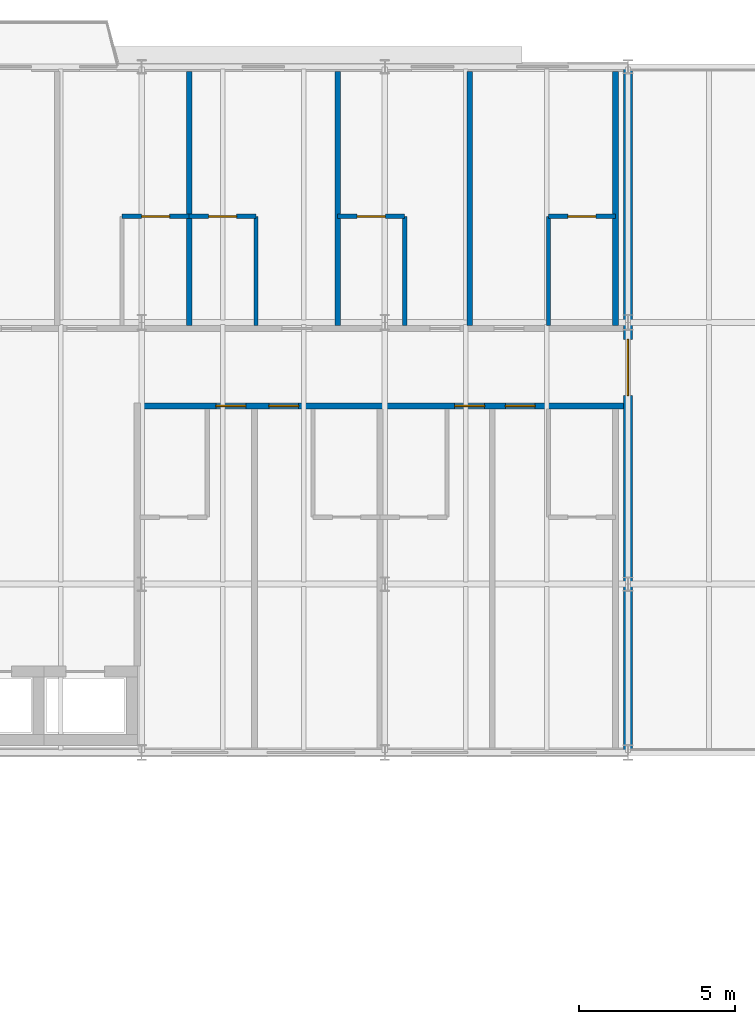
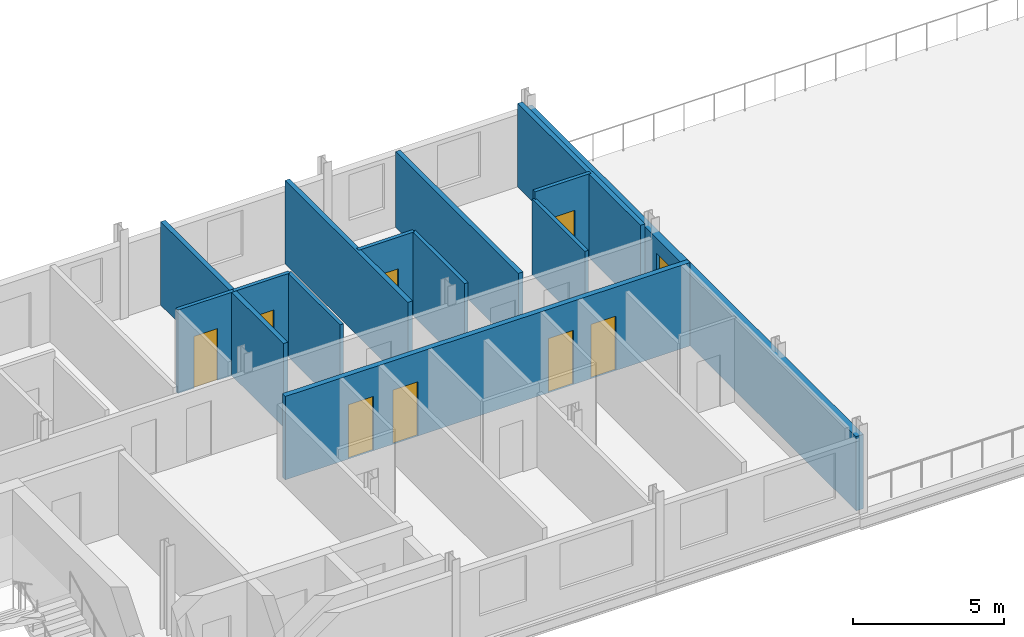
# One storey, part 25 of 30: 13 walls, 9 doors, 9 openings.
"""IFC4 building model written with IfcOpenShell, lengths in metres."""

import ifcopenshell
import ifcopenshell.guid

model = None  # the IFC model being written
_history = None  # IfcOwnerHistory: only IFC2X3 demands one
_inside = {}  # id of a spatial element -> (the spatial element, [elements in it])
_under = {}  # id of a project, library or spatial element -> (it, [spatial elements below it])
_declared = {}  # id of a project -> (the project, [libraries it declares])
_typed = {}  # id of a type object -> (the type object, [elements of that type])
_made_of = {}  # id of a material, layer set ... -> (it, [elements and type objects made of it])


def new_model(schema):
    """Start an empty IFC model of exactly this schema.

    Asked for "IFC4X3", IfcOpenShell would pick the latest addendum, in which some entities
    have other attributes; the version numbers below select the first issue.
    IFC2X3 requires an IfcOwnerHistory on every rooted entity: one is made here for all.
    """
    global model, _history
    if schema == "IFC4X3":
        model = ifcopenshell.file(schema_version=(4, 3, 0, 0))
    else:
        model = ifcopenshell.file(schema=schema)
    _inside.clear()
    _under.clear()
    _declared.clear()
    _typed.clear()
    _made_of.clear()
    _history = None
    if model.schema == "IFC2X3":
        org = make("IfcOrganization", Name="unknown")
        user = make(
            "IfcPersonAndOrganization",
            ThePerson=make("IfcPerson", FamilyName="unknown"),
            TheOrganization=org,
        )
        app = make(
            "IfcApplication",
            ApplicationDeveloper=org,
            Version="unknown",
            ApplicationFullName="unknown",
            ApplicationIdentifier="unknown",
        )
        _history = make(
            "IfcOwnerHistory",
            OwningUser=user,
            OwningApplication=app,
            ChangeAction="ADDED",
            CreationDate=0,
        )
    return model


def make(cls, **values):
    """One entity of the class cls with the attributes given. An attribute that is None is left unset."""
    return model.create_entity(
        cls, **{name: value for name, value in values.items() if value is not None}
    )


def rooted(cls, **values):
    """An entity with a GlobalId (a new one), such as an element, a storey or a relation."""
    return make(cls, GlobalId=ifcopenshell.guid.new(), OwnerHistory=_history, **values)


def si_unit(unit_type, name, prefix=None):
    """IfcSIUnit, for example si_unit("LENGTHUNIT", "METRE", prefix="MILLI")."""
    return make("IfcSIUnit", UnitType=unit_type, Prefix=prefix, Name=name)


def assignment(units):
    """IfcUnitAssignment: the units of a project."""
    return None if units is None else make("IfcUnitAssignment", Units=units)


def point(xyz):
    """IfcCartesianPoint."""
    return None if xyz is None else make("IfcCartesianPoint", Coordinates=xyz)


def direction(xyz):
    """IfcDirection."""
    return None if xyz is None else make("IfcDirection", DirectionRatios=xyz)


def frame(location, z_axis=None, x_axis=None):
    """IfcAxis2Placement3D, a coordinate frame: its origin and axes. An axis left out is left unset."""
    return make(
        "IfcAxis2Placement3D",
        Location=point(location),
        Axis=direction(z_axis),
        RefDirection=direction(x_axis),
    )


def frame_2d(location, x_axis=None):
    """IfcAxis2Placement2D, a coordinate frame in the plane: its origin and x axis."""
    return make(
        "IfcAxis2Placement2D", Location=point(location), RefDirection=direction(x_axis)
    )


def origin():
    """The frame at (0, 0, 0) with its axes left unset."""
    return frame((0.0, 0.0, 0.0))


def place(relative_to, where):
    """IfcLocalPlacement: puts the frame where relative to a parent placement (None: the world)."""
    return make(
        "IfcLocalPlacement", PlacementRelTo=relative_to, RelativePlacement=where
    )


def context(
    kind, dimensions, precision=None, world=None, true_north=None, identifier=None
):
    """IfcGeometricRepresentationContext, for example the 3D "Model" context."""
    return make(
        "IfcGeometricRepresentationContext",
        ContextIdentifier=identifier,
        ContextType=kind,
        CoordinateSpaceDimension=dimensions,
        Precision=precision,
        WorldCoordinateSystem=world,
        TrueNorth=true_north,
    )


def subcontext(parent, identifier, kind, view, scale=None):
    """IfcGeometricRepresentationSubContext, for example "Body" below "Model"."""
    return make(
        "IfcGeometricRepresentationSubContext",
        ContextIdentifier=identifier,
        ContextType=kind,
        ParentContext=parent,
        TargetScale=scale,
        TargetView=view,
    )


def project(units=None, contexts=None):
    """IfcProject with its units and contexts."""
    return rooted(
        "IfcProject",
        Name="project",
        RepresentationContexts=contexts,
        UnitsInContext=assignment(units),
    )


def spatial(cls, under=None, at=None, **own):
    """A site, building, storey or space (cls), placed at a placement, below another one or the project."""
    s = rooted(cls, ObjectPlacement=at, **own)
    if under is not None:
        _under.setdefault(under.id(), (under, []))[1].append(s)
    return s


def profile(cls, at=None, kind="AREA", **sizes):
    """A parametric profile (cls). Its sizes go by their IFC names, for example OverallWidth=200.0."""
    return make(cls, ProfileType=kind, Position=at, **sizes)


def rectangle(**sizes):
    """IfcRectangleProfileDef."""
    return profile("IfcRectangleProfileDef", **sizes)


def extrude(swept, where, along, depth):
    """IfcExtrudedAreaSolid: the profile swept, set in the frame where, extruded along a direction by depth."""
    return make(
        "IfcExtrudedAreaSolid",
        SweptArea=swept,
        Position=where,
        ExtrudedDirection=direction(along),
        Depth=depth,
    )


def shape(context_of_items, identifier, shape_type, items):
    """IfcShapeRepresentation: the items that make up one representation, for example the "Body"."""
    return make(
        "IfcShapeRepresentation",
        ContextOfItems=context_of_items,
        RepresentationIdentifier=identifier,
        RepresentationType=shape_type,
        Items=items,
    )


def material(Name=None, Category=None):
    """IfcMaterial."""
    return make("IfcMaterial", Name=Name, Category=Category)


def layer(
    of_material, thickness, ventilated=None, Name=None, Category=None, Priority=None
):
    """IfcMaterialLayer: one layer of a wall or slab, of a material (None: an air gap)."""
    return make(
        "IfcMaterialLayer",
        Material=of_material,
        LayerThickness=thickness,
        IsVentilated=ventilated,
        Name=Name,
        Category=Category,
        Priority=Priority,
    )


def layer_set(layers, Name=None):
    """IfcMaterialLayerSet."""
    return make("IfcMaterialLayerSet", MaterialLayers=layers, LayerSetName=Name)


def made_of(thing, what):
    """Note that an element or type object is made of a material, layer set ...; save() writes the relation."""
    if what is not None:
        _made_of.setdefault(what.id(), (what, []))[1].append(thing)
    return thing


def type_object(cls, material=None, **own):
    """A type object (cls), such as IfcWallType, which elements share."""
    return made_of(rooted(cls, **own), material)


def element(
    cls,
    number,
    at=None,
    inside=None,
    cuts=None,
    type_object=None,
    material=None,
    context=None,
    identifier="Body",
    shape_type=None,
    held_by="IfcProductDefinitionShape",
    body=None,
    shapes=None,
    **own,
):
    """One element of the class cls, such as IfcWall. Its Tag is "e" and its number.

    at: its placement. inside: the storey or other place that contains it. cuts: it is an
    opening in that element (IfcRelVoidsElement). A single representation is given by context,
    identifier, shape_type and body (its items); several are given by shapes. held_by: the class
    of the entity that holds the representations. save() writes the other relations.
    """
    e = rooted(cls, Tag="e%d" % number, ObjectPlacement=at, **own)
    if body is not None:
        shapes = [shape(context, identifier, shape_type, body)]
    if shapes is not None:
        e.Representation = make(held_by, Representations=shapes)
    if inside is not None:
        _inside.setdefault(inside.id(), (inside, []))[1].append(e)
    if cuts is not None:
        rooted(
            "IfcRelVoidsElement", RelatingBuildingElement=cuts, RelatedOpeningElement=e
        )
    if type_object is not None:
        _typed.setdefault(type_object.id(), (type_object, []))[1].append(e)
    return made_of(e, material)


def fill(opening, filler):
    """IfcRelFillsElement: the door or window that sits in an opening."""
    return rooted(
        "IfcRelFillsElement",
        RelatingOpeningElement=opening,
        RelatedBuildingElement=filler,
    )


def aggregate(whole, parts):
    """IfcRelAggregates: a whole, such as a stair, and the parts it consists of."""
    return rooted("IfcRelAggregates", RelatingObject=whole, RelatedObjects=parts)


def save(model, path):
    """Write the relations noted so far, then the file.

    IfcRelAggregates (storeys below a building ...), IfcRelContainedInSpatialStructure (elements
    in a storey), IfcRelDefinesByType, IfcRelAssociatesMaterial and IfcRelDeclares: one each for
    every whole, place, type object, material and project.
    """
    for whole, parts in _under.values():
        aggregate(whole, parts)
    for where, things in _inside.values():
        rooted(
            "IfcRelContainedInSpatialStructure",
            RelatedElements=things,
            RelatingStructure=where,
        )
    for kind, things in _typed.values():
        rooted("IfcRelDefinesByType", RelatedObjects=things, RelatingType=kind)
    for what, things in _made_of.values():
        rooted("IfcRelAssociatesMaterial", RelatedObjects=things, RelatingMaterial=what)
    for by, libraries in _declared.values():
        rooted("IfcRelDeclares", RelatingContext=by, RelatedDefinitions=libraries)
    model.write(path)


model = new_model("IFC4")

# Units and contexts
model_context = context("Model", 3, precision=1e-05, world=origin(), true_north=direction((0.0, 1.0)))
body_context = subcontext(model_context, "Body", "Model", "MODEL_VIEW")
ifc_project = project(units=[si_unit("LENGTHUNIT", "METRE"), si_unit("AREAUNIT", "SQUARE_METRE"), si_unit("VOLUMEUNIT", "CUBIC_METRE"), si_unit("PLANEANGLEUNIT", "RADIAN"), si_unit("MASSUNIT", "GRAM", prefix="KILO")], contexts=[model_context])

# Site, building, storey
site_placement = place(None, origin())
site = spatial("IfcSite", under=ifc_project, at=site_placement, CompositionType="ELEMENT")
building_placement = place(site_placement, origin())
building = spatial("IfcBuilding", under=site, at=building_placement, Name="Sefraquen Railside Congress Hotel", CompositionType="ELEMENT")
storey_placement = place(building_placement, frame((0.0, 0.0, 35.39990234375)))
storey = spatial("IfcBuildingStorey", under=building, at=storey_placement, Name="L08", CompositionType="ELEMENT", Elevation=35.39990234375)

# Wall, opening, door
ifc_material_1 = material(Name="Ochre Rabat calcarenite limestone and Concrete C40/50 backing", Category="masonry")
ifc_layer_1 = layer(ifc_material_1, 0.280029296875)
ifc_layer_set_1 = layer_set([ifc_layer_1], Name="Ochre Rabat calcarenite limestone and Concrete C40/50 backing")
wall_type_1 = type_object("IfcWallType", Name="TW-EW-280", PredefinedType="STANDARD", material=ifc_layer_set_1)
wall_1_placement = place(storey_placement, frame((95.39990234375, 96.0, 0.0), z_axis=(0.0, 0.0, 1.0), x_axis=(0.0, 1.0, 0.0)))
wall_1 = element("IfcWall", 1, at=wall_1_placement, inside=storey, type_object=wall_type_1, Name="Hotel L08 east gable facade wall", PredefinedType="STANDARD", context=body_context, shape_type="SweptSolid", body=[
    extrude(rectangle(XDim=22.0, YDim=0.280029296875, at=frame_2d((11.0, 0.0))), origin(), (0.0, 0.0, 1.0), 3.010009765625),
])
opening_1_placement = place(wall_1_placement, frame((11.449951171875, 0.0, 0.0)))
opening_1 = element("IfcOpeningElement", 2, at=opening_1_placement, cuts=wall_1, Name="Opening ED-07", PredefinedType="OPENING", context=body_context, shape_type="SweptSolid", body=[
    extrude(rectangle(XDim=1.800048828125, YDim=2.39990234375, at=frame_2d((0.89990234375, 1.199951171875))), frame((0.0, 0.14990234375, 0.0), z_axis=(0.0, -1.0, 0.0), x_axis=(1.0, 0.0, 0.0)), (0.0, 0.0, 1.0), 0.300048828125),
])
ifc_material_2 = material(Name="Bronze and low-E fire-rated glass", Category="glass")
door_type_1 = type_object("IfcDoorType", Name="TD-ED-07", OperationType="NOTDEFINED", PredefinedType="DOOR", material=ifc_material_2)
door_1_placement = place(opening_1_placement, frame((1.800048828125, 0.0, 0.0), z_axis=(0.0, 0.0, 1.0), x_axis=(-1.0, 0.0, 0.0)))
door_1 = element("IfcDoor", 3, at=door_1_placement, inside=storey, type_object=door_type_1, Name="Hotel L08 roof terrace walk-out door", OperationType="DOUBLE_SWING_LEFT", OverallHeight=2.39990234375, OverallWidth=1.800048828125, PredefinedType="DOOR", context=body_context, shape_type="SweptSolid", body=[
    extrude(rectangle(XDim=1.800048828125, YDim=2.39990234375, at=frame_2d((0.89990234375, 1.199951171875))), frame((0.0, 0.02490234375, 0.0), z_axis=(0.0, -1.0, 0.0), x_axis=(1.0, 0.0, 0.0)), (0.0, 0.0, 1.0), 0.050048828125),
])
fill(opening_1, door_1)

ifc_material_3 = material(Name="Moisture-resistant gypsum board", Category="gypsum")
ifc_layer_2 = layer(ifc_material_3, 0.139892578125)
ifc_layer_set_2 = layer_set([ifc_layer_2], Name="Moisture-resistant gypsum board")
wall_type_2 = type_object("IfcWallType", Name="TW-PW-140", PredefinedType="PARTITIONING", material=ifc_layer_set_2)
wall_2_placement = place(storey_placement, frame((79.169921875, 113.199951171875, 0.0), z_axis=(0.0, 0.0, 1.0), x_axis=(1.0, 0.0, 0.0)))
wall_2 = element("IfcWall", 4, at=wall_2_placement, inside=storey, type_object=wall_type_2, Name="En-suite bathroom north wall RM-013", PredefinedType="PARTITIONING", context=body_context, shape_type="SweptSolid", body=[
    extrude(rectangle(XDim=2.150146484375, YDim=0.139892578125, at=frame_2d((1.0751953125, 0.0))), origin(), (0.0, 0.0, 1.0), 3.380126953125),
])
opening_2_placement = place(wall_2_placement, frame((0.625, 0.0, 0.0)))
opening_2 = element("IfcOpeningElement", 5, at=opening_2_placement, cuts=wall_2, Name="Opening ID-02", PredefinedType="OPENING", context=body_context, shape_type="SweptSolid", body=[
    extrude(rectangle(XDim=0.89990234375, YDim=2.10009765625, at=frame_2d((0.449951171875, 1.050048828125))), frame((0.0, 0.079833984375, 0.0), z_axis=(0.0, -1.0, 0.0), x_axis=(1.0, 0.0, 0.0)), (0.0, 0.0, 1.0), 0.159912109375),
])
ifc_material_4 = material(Name="Lacquered cedar joinery", Category="wood")
door_type_2 = type_object("IfcDoorType", Name="TD-ID-02", OperationType="NOTDEFINED", PredefinedType="DOOR", material=ifc_material_4)
door_2_placement = place(opening_2_placement, origin())
door_2 = element("IfcDoor", 6, at=door_2_placement, inside=storey, type_object=door_type_2, Name="En-suite bathroom door RM-013", OperationType="SINGLE_SWING_LEFT", OverallHeight=2.10009765625, OverallWidth=0.89990234375, PredefinedType="DOOR", context=body_context, shape_type="SweptSolid", body=[
    extrude(rectangle(XDim=0.89990234375, YDim=2.10009765625, at=frame_2d((0.449951171875, 1.050048828125))), frame((0.0, 0.02490234375, 0.0), z_axis=(0.0, -1.0, 0.0), x_axis=(1.0, 0.0, 0.0)), (0.0, 0.0, 1.0), 0.050048828125),
])
fill(opening_2, door_2)

# Wall
wall_3_placement = place(storey_placement, frame((83.469970703125, 109.699951171875, 0.0), z_axis=(0.0, 0.0, 1.0), x_axis=(0.0, 1.0, 0.0)))
element("IfcWall", 7, at=wall_3_placement, inside=storey, type_object=wall_type_2, Name="En-suite bathroom east wall RM-014", PredefinedType="PARTITIONING", context=body_context, shape_type="SweptSolid", body=[
    extrude(rectangle(XDim=3.5, YDim=0.139892578125, at=frame_2d((1.75, 0.0))), origin(), (0.0, 0.0, 1.0), 3.380126953125),
])

# Wall, opening, door
wall_4_placement = place(storey_placement, frame((81.320068359375, 113.199951171875, 0.0), z_axis=(0.0, 0.0, 1.0), x_axis=(1.0, 0.0, 0.0)))
wall_4 = element("IfcWall", 8, at=wall_4_placement, inside=storey, type_object=wall_type_2, Name="En-suite bathroom north wall RM-014", PredefinedType="PARTITIONING", context=body_context, shape_type="SweptSolid", body=[
    extrude(rectangle(XDim=2.14990234375, YDim=0.139892578125, at=frame_2d((1.074951171875, 0.0))), origin(), (0.0, 0.0, 1.0), 3.380126953125),
])
opening_3_placement = place(wall_4_placement, frame((0.625, 0.0, 0.0)))
opening_3 = element("IfcOpeningElement", 9, at=opening_3_placement, cuts=wall_4, Name="Opening ID-02", PredefinedType="OPENING", context=body_context, shape_type="SweptSolid", body=[
    extrude(rectangle(XDim=0.89990234375, YDim=2.10009765625, at=frame_2d((0.449951171875, 1.050048828125))), frame((0.0, 0.079833984375, 0.0), z_axis=(0.0, -1.0, 0.0), x_axis=(1.0, 0.0, 0.0)), (0.0, 0.0, 1.0), 0.159912109375),
])
door_3_placement = place(opening_3_placement, origin())
door_3 = element("IfcDoor", 10, at=door_3_placement, inside=storey, type_object=door_type_2, Name="En-suite bathroom door RM-014", OperationType="SINGLE_SWING_LEFT", OverallHeight=2.10009765625, OverallWidth=0.89990234375, PredefinedType="DOOR", context=body_context, shape_type="SweptSolid", body=[
    extrude(rectangle(XDim=0.89990234375, YDim=2.10009765625, at=frame_2d((0.449951171875, 1.050048828125))), frame((0.0, 0.02490234375, 0.0), z_axis=(0.0, -1.0, 0.0), x_axis=(1.0, 0.0, 0.0)), (0.0, 0.0, 1.0), 0.050048828125),
])
fill(opening_3, door_3)

# Wall
wall_5_placement = place(storey_placement, frame((88.239990234375, 109.699951171875, 0.0), z_axis=(0.0, 0.0, 1.0), x_axis=(0.0, 1.0, 0.0)))
element("IfcWall", 11, at=wall_5_placement, inside=storey, type_object=wall_type_2, Name="En-suite bathroom east wall RM-015", PredefinedType="PARTITIONING", context=body_context, shape_type="SweptSolid", body=[
    extrude(rectangle(XDim=3.5, YDim=0.139892578125, at=frame_2d((1.75, 0.0))), origin(), (0.0, 0.0, 1.0), 3.380126953125),
])

# Wall, opening, door
wall_6_placement = place(storey_placement, frame((86.090087890625, 113.199951171875, 0.0), z_axis=(0.0, 0.0, 1.0), x_axis=(1.0, 0.0, 0.0)))
wall_6 = element("IfcWall", 12, at=wall_6_placement, inside=storey, type_object=wall_type_2, Name="En-suite bathroom north wall RM-015", PredefinedType="PARTITIONING", context=body_context, shape_type="SweptSolid", body=[
    extrude(rectangle(XDim=2.14990234375, YDim=0.139892578125, at=frame_2d((1.074951171875, 0.0))), origin(), (0.0, 0.0, 1.0), 3.380126953125),
])
opening_4_placement = place(wall_6_placement, frame((0.625, 0.0, 0.0)))
opening_4 = element("IfcOpeningElement", 13, at=opening_4_placement, cuts=wall_6, Name="Opening ID-02", PredefinedType="OPENING", context=body_context, shape_type="SweptSolid", body=[
    extrude(rectangle(XDim=0.89990234375, YDim=2.10009765625, at=frame_2d((0.449951171875, 1.050048828125))), frame((0.0, 0.079833984375, 0.0), z_axis=(0.0, -1.0, 0.0), x_axis=(1.0, 0.0, 0.0)), (0.0, 0.0, 1.0), 0.159912109375),
])
door_4_placement = place(opening_4_placement, origin())
door_4 = element("IfcDoor", 14, at=door_4_placement, inside=storey, type_object=door_type_2, Name="En-suite bathroom door RM-015", OperationType="SINGLE_SWING_LEFT", OverallHeight=2.10009765625, OverallWidth=0.89990234375, PredefinedType="DOOR", context=body_context, shape_type="SweptSolid", body=[
    extrude(rectangle(XDim=0.89990234375, YDim=2.10009765625, at=frame_2d((0.449951171875, 1.050048828125))), frame((0.0, 0.02490234375, 0.0), z_axis=(0.0, -1.0, 0.0), x_axis=(1.0, 0.0, 0.0)), (0.0, 0.0, 1.0), 0.050048828125),
])
fill(opening_4, door_4)

# Wall
wall_7_placement = place(storey_placement, frame((92.85009765625, 109.699951171875, 0.0), z_axis=(0.0, 0.0, 1.0), x_axis=(0.0, 1.0, 0.0)))
element("IfcWall", 15, at=wall_7_placement, inside=storey, type_object=wall_type_2, Name="En-suite bathroom west wall RM-016", PredefinedType="PARTITIONING", context=body_context, shape_type="SweptSolid", body=[
    extrude(rectangle(XDim=3.5, YDim=0.139892578125, at=frame_2d((1.75, 0.0))), origin(), (0.0, 0.0, 1.0), 3.070068359375),
])

# Wall, opening, door
wall_8_placement = place(storey_placement, frame((92.85009765625, 113.199951171875, 0.0), z_axis=(0.0, 0.0, 1.0), x_axis=(1.0, 0.0, 0.0)))
wall_8 = element("IfcWall", 16, at=wall_8_placement, inside=storey, type_object=wall_type_2, Name="En-suite bathroom north wall RM-016", PredefinedType="PARTITIONING", context=body_context, shape_type="SweptSolid", body=[
    extrude(rectangle(XDim=2.14990234375, YDim=0.139892578125, at=frame_2d((1.074951171875, 0.0))), origin(), (0.0, 0.0, 1.0), 3.380126953125),
])
opening_5_placement = place(wall_8_placement, frame((0.625, 0.0, 0.0)))
opening_5 = element("IfcOpeningElement", 17, at=opening_5_placement, cuts=wall_8, Name="Opening ID-02", PredefinedType="OPENING", context=body_context, shape_type="SweptSolid", body=[
    extrude(rectangle(XDim=0.89990234375, YDim=2.10009765625, at=frame_2d((0.449951171875, 1.050048828125))), frame((0.0, 0.079833984375, 0.0), z_axis=(0.0, -1.0, 0.0), x_axis=(1.0, 0.0, 0.0)), (0.0, 0.0, 1.0), 0.159912109375),
])
door_5_placement = place(opening_5_placement, origin())
door_5 = element("IfcDoor", 18, at=door_5_placement, inside=storey, type_object=door_type_2, Name="En-suite bathroom door RM-016", OperationType="SINGLE_SWING_LEFT", OverallHeight=2.10009765625, OverallWidth=0.89990234375, PredefinedType="DOOR", context=body_context, shape_type="SweptSolid", body=[
    extrude(rectangle(XDim=0.89990234375, YDim=2.10009765625, at=frame_2d((0.449951171875, 1.050048828125))), frame((0.0, 0.02490234375, 0.0), z_axis=(0.0, -1.0, 0.0), x_axis=(1.0, 0.0, 0.0)), (0.0, 0.0, 1.0), 0.050048828125),
])
fill(opening_5, door_5)

# Walls
ifc_material_5 = material(Name="Acoustic gypsum board on metal stud", Category="gypsum")
ifc_layer_3 = layer(ifc_material_5, 0.179931640625)
ifc_layer_set_3 = layer_set([ifc_layer_3], Name="Acoustic gypsum board on metal stud")
wall_type_3 = type_object("IfcWallType", Name="TW-PW-180", PredefinedType="PARTITIONING", material=ifc_layer_set_3)
for number, where, z_axis, x_axis, name in (
    (19, (81.320068359375, 109.699951171875, 0.0), (0.0, 0.0, 1.0), (0.0, 1.0, 0.0), "Guest room demising wall RM-013"),
    (20, (86.090087890625, 109.699951171875, 0.0), (0.0, 0.0, 1.0), (0.0, 1.0, 0.0), "Guest room demising wall RM-014"),
):
    element("IfcWall", number, at=place(storey_placement, frame(where, z_axis=z_axis, x_axis=x_axis)), inside=storey, type_object=wall_type_3, Name=name, PredefinedType="PARTITIONING", context=body_context, shape_type="SweptSolid", body=[
        extrude(rectangle(XDim=8.150146484375, YDim=0.179931640625, at=frame_2d((4.0751953125, 0.0))), origin(), (0.0, 0.0, 1.0), 3.380126953125),
    ])
wall_9_placement = place(storey_placement, frame((90.320068359375, 109.699951171875, 0.0), z_axis=(0.0, 0.0, 1.0), x_axis=(0.0, 1.0, 0.0)))
element("IfcWall", 21, at=wall_9_placement, inside=storey, type_object=wall_type_3, Name="Guest room demising wall RM-015", PredefinedType="PARTITIONING", context=body_context, shape_type="SweptSolid", body=[
    extrude(rectangle(XDim=8.150146484375, YDim=0.179931640625, at=frame_2d((4.0751953125, 0.0))), origin(), (0.0, 0.0, 1.0), 3.070068359375),
])
wall_10_placement = place(storey_placement, frame((95.0, 109.699951171875, 0.0), z_axis=(0.0, 0.0, 1.0), x_axis=(0.0, 1.0, 0.0)))
element("IfcWall", 22, at=wall_10_placement, inside=storey, type_object=wall_type_3, Name="Guest room demising wall RM-016", PredefinedType="PARTITIONING", context=body_context, shape_type="SweptSolid", body=[
    extrude(rectangle(XDim=8.150146484375, YDim=0.179931640625, at=frame_2d((4.0751953125, 0.0))), origin(), (0.0, 0.0, 1.0), 3.380126953125),
])

# Wall, openings, doors
ifc_layer_4 = layer(ifc_material_5, 0.199951171875)
ifc_layer_set_4 = layer_set([ifc_layer_4], Name="Acoustic gypsum board on metal stud")
wall_type_4 = type_object("IfcWallType", Name="TW-PW-200", PredefinedType="PARTITIONING", material=ifc_layer_set_4)
wall_11_placement = place(storey_placement, frame((79.760009765625, 107.1201171875, 0.0), z_axis=(0.0, 0.0, 1.0), x_axis=(1.0, 0.0, 0.0)))
wall_11 = element("IfcWall", 23, at=wall_11_placement, inside=storey, type_object=wall_type_4, Name="Hotel L08 south-east corridor fire-rated partition", PredefinedType="PARTITIONING", context=body_context, shape_type="SweptSolid", body=[
    extrude(rectangle(XDim=15.5, YDim=0.199951171875, at=frame_2d((7.75, 0.0))), origin(), (0.0, 0.0, 1.0), 3.380126953125),
])
opening_6_placement = place(wall_11_placement, frame((2.4189453125, 0.0, 0.0)))
opening_6 = element("IfcOpeningElement", 24, at=opening_6_placement, cuts=wall_11, Name="Opening GD-02", PredefinedType="OPENING", context=body_context, shape_type="SweptSolid", body=[
    extrude(rectangle(XDim=0.9599609375, YDim=2.199951171875, at=frame_2d((0.47998046875, 1.10009765625))), frame((0.0, 0.10986328125, 0.0), z_axis=(0.0, -1.0, 0.0), x_axis=(1.0, 0.0, 0.0)), (0.0, 0.0, 1.0), 0.219970703125),
])
opening_7_placement = place(wall_11_placement, frame((4.116943359375, 0.0, 0.0)))
opening_7 = element("IfcOpeningElement", 25, at=opening_7_placement, cuts=wall_11, Name="Opening GD-02", PredefinedType="OPENING", context=body_context, shape_type="SweptSolid", body=[
    extrude(rectangle(XDim=0.9599609375, YDim=2.199951171875, at=frame_2d((0.47998046875, 1.10009765625))), frame((0.0, 0.10986328125, 0.0), z_axis=(0.0, -1.0, 0.0), x_axis=(1.0, 0.0, 0.0)), (0.0, 0.0, 1.0), 0.219970703125),
])
opening_8_placement = place(wall_11_placement, frame((10.080078125, 0.0, 0.0)))
opening_8 = element("IfcOpeningElement", 26, at=opening_8_placement, cuts=wall_11, Name="Opening GD-02", PredefinedType="OPENING", context=body_context, shape_type="SweptSolid", body=[
    extrude(rectangle(XDim=0.9599609375, YDim=2.199951171875, at=frame_2d((0.47998046875, 1.10009765625))), frame((0.0, 0.10986328125, 0.0), z_axis=(0.0, -1.0, 0.0), x_axis=(1.0, 0.0, 0.0)), (0.0, 0.0, 1.0), 0.219970703125),
])
opening_9_placement = place(wall_11_placement, frame((11.7060546875, 0.0, 0.0)))
opening_9 = element("IfcOpeningElement", 27, at=opening_9_placement, cuts=wall_11, Name="Opening GD-02", PredefinedType="OPENING", context=body_context, shape_type="SweptSolid", body=[
    extrude(rectangle(XDim=0.9599609375, YDim=2.199951171875, at=frame_2d((0.47998046875, 1.10009765625))), frame((0.0, 0.10986328125, 0.0), z_axis=(0.0, -1.0, 0.0), x_axis=(1.0, 0.0, 0.0)), (0.0, 0.0, 1.0), 0.219970703125),
])
ifc_material_6 = material(Name="Solid Atlas cedar timber fire leaf", Category="wood")
door_type_3 = type_object("IfcDoorType", Name="TD-GD-02", OperationType="NOTDEFINED", PredefinedType="DOOR", material=ifc_material_6)
door_6_placement = place(opening_6_placement, frame((0.9599609375, 0.0, 0.0), z_axis=(0.0, 0.0, 1.0), x_axis=(-1.0, 0.0, 0.0)))
door_6 = element("IfcDoor", 28, at=door_6_placement, inside=storey, type_object=door_type_3, Name="Guest room entrance fire door RM-023", OperationType="SINGLE_SWING_RIGHT", OverallHeight=2.199951171875, OverallWidth=0.9599609375, PredefinedType="DOOR", context=body_context, shape_type="SweptSolid", body=[
    extrude(rectangle(XDim=0.9599609375, YDim=2.199951171875, at=frame_2d((0.47998046875, 1.10009765625))), frame((0.0, 0.02490234375, 0.0), z_axis=(0.0, -1.0, 0.0), x_axis=(1.0, 0.0, 0.0)), (0.0, 0.0, 1.0), 0.050048828125),
])
fill(opening_6, door_6)
door_7_placement = place(opening_7_placement, frame((0.9599609375, 0.0, 0.0), z_axis=(0.0, 0.0, 1.0), x_axis=(-1.0, 0.0, 0.0)))
door_7 = element("IfcDoor", 29, at=door_7_placement, inside=storey, type_object=door_type_3, Name="Guest room entrance fire door RM-024", OperationType="SINGLE_SWING_RIGHT", OverallHeight=2.199951171875, OverallWidth=0.9599609375, PredefinedType="DOOR", context=body_context, shape_type="SweptSolid", body=[
    extrude(rectangle(XDim=0.9599609375, YDim=2.199951171875, at=frame_2d((0.47998046875, 1.10009765625))), frame((0.0, 0.02490234375, 0.0), z_axis=(0.0, -1.0, 0.0), x_axis=(1.0, 0.0, 0.0)), (0.0, 0.0, 1.0), 0.050048828125),
])
fill(opening_7, door_7)
door_8_placement = place(opening_8_placement, frame((0.9599609375, 0.0, 0.0), z_axis=(0.0, 0.0, 1.0), x_axis=(-1.0, 0.0, 0.0)))
door_8 = element("IfcDoor", 30, at=door_8_placement, inside=storey, type_object=door_type_3, Name="Guest room entrance fire door RM-025", OperationType="SINGLE_SWING_RIGHT", OverallHeight=2.199951171875, OverallWidth=0.9599609375, PredefinedType="DOOR", context=body_context, shape_type="SweptSolid", body=[
    extrude(rectangle(XDim=0.9599609375, YDim=2.199951171875, at=frame_2d((0.47998046875, 1.10009765625))), frame((0.0, 0.02490234375, 0.0), z_axis=(0.0, -1.0, 0.0), x_axis=(1.0, 0.0, 0.0)), (0.0, 0.0, 1.0), 0.050048828125),
])
fill(opening_8, door_8)
door_9_placement = place(opening_9_placement, frame((0.9599609375, 0.0, 0.0), z_axis=(0.0, 0.0, 1.0), x_axis=(-1.0, 0.0, 0.0)))
door_9 = element("IfcDoor", 31, at=door_9_placement, inside=storey, type_object=door_type_3, Name="Guest room entrance fire door RM-026", OperationType="SINGLE_SWING_RIGHT", OverallHeight=2.199951171875, OverallWidth=0.9599609375, PredefinedType="DOOR", context=body_context, shape_type="SweptSolid", body=[
    extrude(rectangle(XDim=0.9599609375, YDim=2.199951171875, at=frame_2d((0.47998046875, 1.10009765625))), frame((0.0, 0.02490234375, 0.0), z_axis=(0.0, -1.0, 0.0), x_axis=(1.0, 0.0, 0.0)), (0.0, 0.0, 1.0), 0.050048828125),
])
fill(opening_9, door_9)

save(model, "model.ifc")
